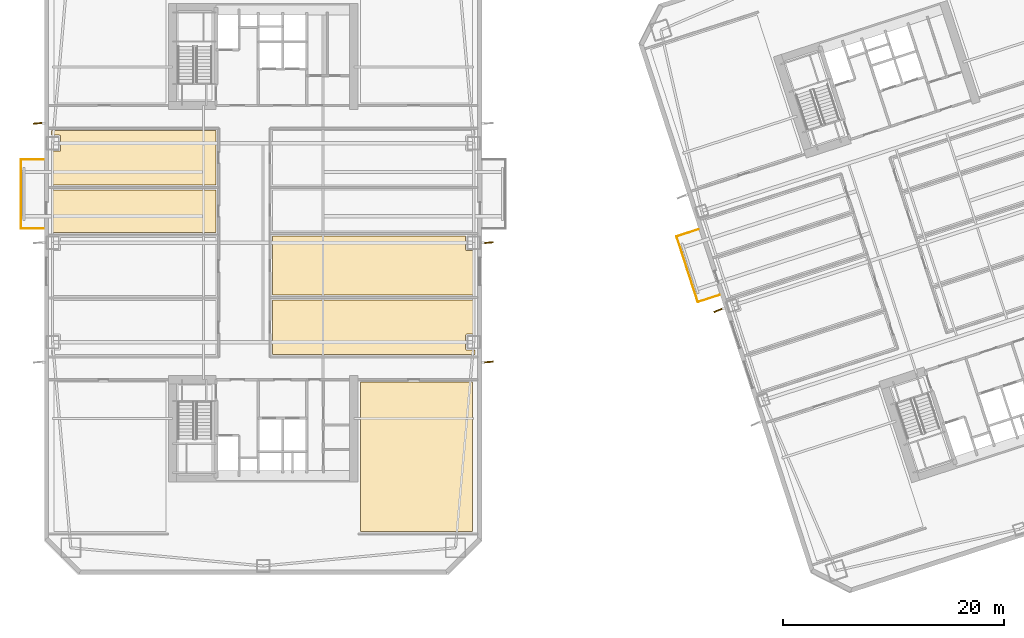
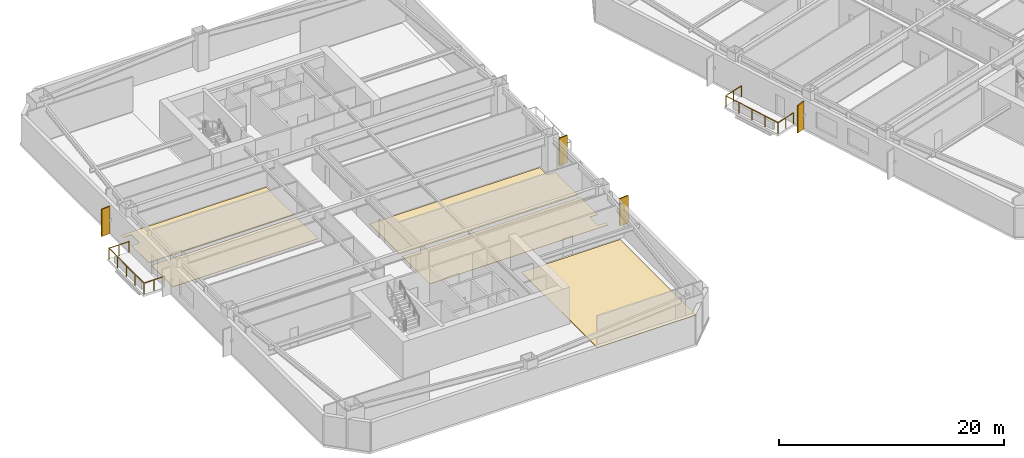
# One storey, part 14 of 21: 5 coverings, 4 shading devices, 2 railings.
"""IFC4 building model written with IfcOpenShell, lengths in metres."""

import ifcopenshell
import ifcopenshell.guid

model = None  # the IFC model being written
_history = None  # IfcOwnerHistory: only IFC2X3 demands one
_inside = {}  # id of a spatial element -> (the spatial element, [elements in it])
_under = {}  # id of a project, library or spatial element -> (it, [spatial elements below it])
_declared = {}  # id of a project -> (the project, [libraries it declares])
_typed = {}  # id of a type object -> (the type object, [elements of that type])
_made_of = {}  # id of a material, layer set ... -> (it, [elements and type objects made of it])


def new_model(schema):
    """Start an empty IFC model of exactly this schema.

    Asked for "IFC4X3", IfcOpenShell would pick the latest addendum, in which some entities
    have other attributes; the version numbers below select the first issue.
    IFC2X3 requires an IfcOwnerHistory on every rooted entity: one is made here for all.
    """
    global model, _history
    if schema == "IFC4X3":
        model = ifcopenshell.file(schema_version=(4, 3, 0, 0))
    else:
        model = ifcopenshell.file(schema=schema)
    _inside.clear()
    _under.clear()
    _declared.clear()
    _typed.clear()
    _made_of.clear()
    _history = None
    if model.schema == "IFC2X3":
        org = make("IfcOrganization", Name="unknown")
        user = make(
            "IfcPersonAndOrganization",
            ThePerson=make("IfcPerson", FamilyName="unknown"),
            TheOrganization=org,
        )
        app = make(
            "IfcApplication",
            ApplicationDeveloper=org,
            Version="unknown",
            ApplicationFullName="unknown",
            ApplicationIdentifier="unknown",
        )
        _history = make(
            "IfcOwnerHistory",
            OwningUser=user,
            OwningApplication=app,
            ChangeAction="ADDED",
            CreationDate=0,
        )
    return model


def make(cls, **values):
    """One entity of the class cls with the attributes given. An attribute that is None is left unset."""
    return model.create_entity(
        cls, **{name: value for name, value in values.items() if value is not None}
    )


def rooted(cls, **values):
    """An entity with a GlobalId (a new one), such as an element, a storey or a relation."""
    return make(cls, GlobalId=ifcopenshell.guid.new(), OwnerHistory=_history, **values)


def si_unit(unit_type, name, prefix=None):
    """IfcSIUnit, for example si_unit("LENGTHUNIT", "METRE", prefix="MILLI")."""
    return make("IfcSIUnit", UnitType=unit_type, Prefix=prefix, Name=name)


def assignment(units):
    """IfcUnitAssignment: the units of a project."""
    return None if units is None else make("IfcUnitAssignment", Units=units)


def point(xyz):
    """IfcCartesianPoint."""
    return None if xyz is None else make("IfcCartesianPoint", Coordinates=xyz)


def direction(xyz):
    """IfcDirection."""
    return None if xyz is None else make("IfcDirection", DirectionRatios=xyz)


def frame(location, z_axis=None, x_axis=None):
    """IfcAxis2Placement3D, a coordinate frame: its origin and axes. An axis left out is left unset."""
    return make(
        "IfcAxis2Placement3D",
        Location=point(location),
        Axis=direction(z_axis),
        RefDirection=direction(x_axis),
    )


def frame_2d(location, x_axis=None):
    """IfcAxis2Placement2D, a coordinate frame in the plane: its origin and x axis."""
    return make(
        "IfcAxis2Placement2D", Location=point(location), RefDirection=direction(x_axis)
    )


def origin():
    """The frame at (0, 0, 0) with its axes left unset."""
    return frame((0.0, 0.0, 0.0))


def origin_2d():
    """The frame at (0, 0) in the plane with its x axis left unset."""
    return frame_2d((0.0, 0.0))


def place(relative_to, where):
    """IfcLocalPlacement: puts the frame where relative to a parent placement (None: the world)."""
    return make(
        "IfcLocalPlacement", PlacementRelTo=relative_to, RelativePlacement=where
    )


def context(
    kind, dimensions, precision=None, world=None, true_north=None, identifier=None
):
    """IfcGeometricRepresentationContext, for example the 3D "Model" context."""
    return make(
        "IfcGeometricRepresentationContext",
        ContextIdentifier=identifier,
        ContextType=kind,
        CoordinateSpaceDimension=dimensions,
        Precision=precision,
        WorldCoordinateSystem=world,
        TrueNorth=true_north,
    )


def subcontext(parent, identifier, kind, view, scale=None):
    """IfcGeometricRepresentationSubContext, for example "Body" below "Model"."""
    return make(
        "IfcGeometricRepresentationSubContext",
        ContextIdentifier=identifier,
        ContextType=kind,
        ParentContext=parent,
        TargetScale=scale,
        TargetView=view,
    )


def project(units=None, contexts=None):
    """IfcProject with its units and contexts."""
    return rooted(
        "IfcProject",
        Name="project",
        RepresentationContexts=contexts,
        UnitsInContext=assignment(units),
    )


def spatial(cls, under=None, at=None, **own):
    """A site, building, storey or space (cls), placed at a placement, below another one or the project."""
    s = rooted(cls, ObjectPlacement=at, **own)
    if under is not None:
        _under.setdefault(under.id(), (under, []))[1].append(s)
    return s


def polyline(points):
    """IfcPolyline through the points."""
    return make("IfcPolyline", Points=[point(p) for p in points])


def profile(cls, at=None, kind="AREA", **sizes):
    """A parametric profile (cls). Its sizes go by their IFC names, for example OverallWidth=200.0."""
    return make(cls, ProfileType=kind, Position=at, **sizes)


def rectangle(**sizes):
    """IfcRectangleProfileDef."""
    return profile("IfcRectangleProfileDef", **sizes)


def circle(**sizes):
    """IfcCircleProfileDef."""
    return profile("IfcCircleProfileDef", **sizes)


def outline(outer, holes=None, kind="AREA"):
    """IfcArbitraryClosedProfileDef: a profile drawn as a closed curve; with holes, ...WithVoids."""
    if holes is None:
        return make("IfcArbitraryClosedProfileDef", ProfileType=kind, OuterCurve=outer)
    return make(
        "IfcArbitraryProfileDefWithVoids",
        ProfileType=kind,
        OuterCurve=outer,
        InnerCurves=holes,
    )


def extrude(swept, where, along, depth):
    """IfcExtrudedAreaSolid: the profile swept, set in the frame where, extruded along a direction by depth."""
    return make(
        "IfcExtrudedAreaSolid",
        SweptArea=swept,
        Position=where,
        ExtrudedDirection=direction(along),
        Depth=depth,
    )


def shape(context_of_items, identifier, shape_type, items):
    """IfcShapeRepresentation: the items that make up one representation, for example the "Body"."""
    return make(
        "IfcShapeRepresentation",
        ContextOfItems=context_of_items,
        RepresentationIdentifier=identifier,
        RepresentationType=shape_type,
        Items=items,
    )


def material(Name=None, Category=None):
    """IfcMaterial."""
    return make("IfcMaterial", Name=Name, Category=Category)


def layer(
    of_material, thickness, ventilated=None, Name=None, Category=None, Priority=None
):
    """IfcMaterialLayer: one layer of a wall or slab, of a material (None: an air gap)."""
    return make(
        "IfcMaterialLayer",
        Material=of_material,
        LayerThickness=thickness,
        IsVentilated=ventilated,
        Name=Name,
        Category=Category,
        Priority=Priority,
    )


def layer_set(layers, Name=None):
    """IfcMaterialLayerSet."""
    return make("IfcMaterialLayerSet", MaterialLayers=layers, LayerSetName=Name)


def made_of(thing, what):
    """Note that an element or type object is made of a material, layer set ...; save() writes the relation."""
    if what is not None:
        _made_of.setdefault(what.id(), (what, []))[1].append(thing)
    return thing


def type_object(cls, material=None, **own):
    """A type object (cls), such as IfcWallType, which elements share."""
    return made_of(rooted(cls, **own), material)


def element(
    cls,
    number,
    at=None,
    inside=None,
    cuts=None,
    type_object=None,
    material=None,
    context=None,
    identifier="Body",
    shape_type=None,
    held_by="IfcProductDefinitionShape",
    body=None,
    shapes=None,
    **own,
):
    """One element of the class cls, such as IfcWall. Its Tag is "e" and its number.

    at: its placement. inside: the storey or other place that contains it. cuts: it is an
    opening in that element (IfcRelVoidsElement). A single representation is given by context,
    identifier, shape_type and body (its items); several are given by shapes. held_by: the class
    of the entity that holds the representations. save() writes the other relations.
    """
    e = rooted(cls, Tag="e%d" % number, ObjectPlacement=at, **own)
    if body is not None:
        shapes = [shape(context, identifier, shape_type, body)]
    if shapes is not None:
        e.Representation = make(held_by, Representations=shapes)
    if inside is not None:
        _inside.setdefault(inside.id(), (inside, []))[1].append(e)
    if cuts is not None:
        rooted(
            "IfcRelVoidsElement", RelatingBuildingElement=cuts, RelatedOpeningElement=e
        )
    if type_object is not None:
        _typed.setdefault(type_object.id(), (type_object, []))[1].append(e)
    return made_of(e, material)


def aggregate(whole, parts):
    """IfcRelAggregates: a whole, such as a stair, and the parts it consists of."""
    return rooted("IfcRelAggregates", RelatingObject=whole, RelatedObjects=parts)


def save(model, path):
    """Write the relations noted so far, then the file.

    IfcRelAggregates (storeys below a building ...), IfcRelContainedInSpatialStructure (elements
    in a storey), IfcRelDefinesByType, IfcRelAssociatesMaterial and IfcRelDeclares: one each for
    every whole, place, type object, material and project.
    """
    for whole, parts in _under.values():
        aggregate(whole, parts)
    for where, things in _inside.values():
        rooted(
            "IfcRelContainedInSpatialStructure",
            RelatedElements=things,
            RelatingStructure=where,
        )
    for kind, things in _typed.values():
        rooted("IfcRelDefinesByType", RelatedObjects=things, RelatingType=kind)
    for what, things in _made_of.values():
        rooted("IfcRelAssociatesMaterial", RelatedObjects=things, RelatingMaterial=what)
    for by, libraries in _declared.values():
        rooted("IfcRelDeclares", RelatingContext=by, RelatedDefinitions=libraries)
    model.write(path)


model = new_model("IFC4")

# Units and contexts
model_context = context("Model", 3, precision=1e-05, world=origin(), true_north=direction((0.0, 1.0)))
body_context = subcontext(model_context, "Body", "Model", "MODEL_VIEW")
ifc_project = project(units=[si_unit("LENGTHUNIT", "METRE"), si_unit("AREAUNIT", "SQUARE_METRE"), si_unit("VOLUMEUNIT", "CUBIC_METRE"), si_unit("PLANEANGLEUNIT", "RADIAN"), si_unit("MASSUNIT", "GRAM", prefix="KILO")], contexts=[model_context])

# Site, building, storey
site_placement = place(None, origin())
site = spatial("IfcSite", under=ifc_project, at=site_placement, CompositionType="ELEMENT")
building_placement = place(site_placement, origin())
building = spatial("IfcBuilding", under=site, at=building_placement, Name="Qiaolan Cultural Towers", CompositionType="ELEMENT")
storey_placement = place(building_placement, frame((0.0, 0.0, 34.0)))
storey = spatial("IfcBuildingStorey", under=building, at=storey_placement, Name="L07", CompositionType="ELEMENT", Elevation=34.0)

# Coverings
ifc_material_1 = material(Name="Honed Terrazzo & Raised Access Flooring", Category="concrete")
ifc_layer_1 = layer(ifc_material_1, 0.0400390625)
ifc_layer_set_1 = layer_set([ifc_layer_1], Name="Honed Terrazzo & Raised Access Flooring")
covering_type = type_object("IfcCoveringType", Name="COV-FLR-STONE", PredefinedType="FLOORING", material=ifc_layer_set_1)
covering_1_placement = place(storey_placement, origin())
element("IfcCovering", 1, at=covering_1_placement, inside=storey, type_object=covering_type, Name="L07 Corner Curatorial Office Finish Flooring", PredefinedType="FLOORING", context=body_context, shape_type="SweptSolid", body=[
    extrude(outline(polyline([(48.929931640625, 7.8701171875), (48.929931640625, 21.3798828125), (38.800048828125, 21.3798828125), (38.800048828125, 7.8701171875), (48.929931640625, 7.8701171875)])), origin(), (0.0, 0.0, 1.0), 0.0400390625),
])
covering_2_placement = place(storey_placement, origin())
element("IfcCovering", 2, at=covering_2_placement, inside=storey, type_object=covering_type, Name="L07 Conservation Studio Finish Flooring", PredefinedType="FLOORING", context=body_context, shape_type="SweptSolid", body=[
    extrude(outline(polyline([(25.7548828125, 34.89990234375), (25.7548828125, 38.780029296875), (10.840087890625, 38.780029296875), (10.840087890625, 34.89990234375), (25.7548828125, 34.89990234375)])), origin(), (0.0, 0.0, 1.0), 0.0400390625),
])
covering_3_placement = place(storey_placement, origin())
element("IfcCovering", 3, at=covering_3_placement, inside=storey, type_object=covering_type, Name="L07 Gallery Exhibition Room Finish Flooring", PredefinedType="FLOORING", context=body_context, shape_type="SweptSolid", body=[
    extrude(outline(polyline([(10.840087890625, 43.72509765625), (11.554931640625, 43.72509765625), (11.566650390625, 43.724365234375), (11.578369140625, 43.72265625), (11.58984375, 43.7197265625), (11.600830078125, 43.7158203125), (11.611572265625, 43.7109375), (11.62158203125, 43.704833984375), (11.631103515625, 43.69775390625), (11.639892578125, 43.68994140625), (11.647705078125, 43.68115234375), (11.65478515625, 43.671630859375), (11.660888671875, 43.66162109375), (11.665771484375, 43.65087890625), (11.669921875, 43.639892578125), (11.672607421875, 43.62841796875), (11.67431640625, 43.61669921875), (11.675048828125, 43.60498046875), (11.675048828125, 42.39501953125), (11.67431640625, 42.38330078125), (11.672607421875, 42.37158203125), (11.669921875, 42.360107421875), (11.665771484375, 42.34912109375), (11.660888671875, 42.33837890625), (11.65478515625, 42.328369140625), (11.647705078125, 42.31884765625), (11.639892578125, 42.31005859375), (11.631103515625, 42.30224609375), (11.62158203125, 42.295166015625), (11.611572265625, 42.2890625), (11.600830078125, 42.2841796875), (11.58984375, 42.2802734375), (11.578369140625, 42.27734375), (11.566650390625, 42.275634765625), (11.554931640625, 42.27490234375), (10.840087890625, 42.27490234375), (10.840087890625, 39.219970703125), (25.7548828125, 39.219970703125), (25.7548828125, 44.1298828125), (10.840087890625, 44.1298828125), (10.840087890625, 43.72509765625)])), origin(), (0.0, 0.0, 1.0), 0.0400390625),
])
covering_4_placement = place(storey_placement, origin())
element("IfcCovering", 4, at=covering_4_placement, inside=storey, type_object=covering_type, Name="L07 Design Office Finish Flooring", PredefinedType="FLOORING", context=body_context, shape_type="SweptSolid", body=[
    extrude(outline(polyline([(49.159912109375, 24.27490234375), (48.445068359375, 24.27490234375), (48.433349609375, 24.275634765625), (48.421630859375, 24.27734375), (48.41015625, 24.2802734375), (48.399169921875, 24.2841796875), (48.388427734375, 24.2890625), (48.37841796875, 24.295166015625), (48.368896484375, 24.30224609375), (48.360107421875, 24.31005859375), (48.352294921875, 24.31884765625), (48.34521484375, 24.328369140625), (48.339111328125, 24.33837890625), (48.334228515625, 24.34912109375), (48.330078125, 24.360107421875), (48.327392578125, 24.37158203125), (48.32568359375, 24.38330078125), (48.324951171875, 24.39501953125), (48.324951171875, 25.60498046875), (48.32568359375, 25.61669921875), (48.327392578125, 25.62841796875), (48.330078125, 25.639892578125), (48.334228515625, 25.65087890625), (48.339111328125, 25.66162109375), (48.34521484375, 25.671630859375), (48.352294921875, 25.68115234375), (48.360107421875, 25.68994140625), (48.368896484375, 25.69775390625), (48.37841796875, 25.704833984375), (48.388427734375, 25.7109375), (48.399169921875, 25.7158203125), (48.41015625, 25.7197265625), (48.421630859375, 25.72265625), (48.433349609375, 25.724365234375), (48.445068359375, 25.72509765625), (49.159912109375, 25.72509765625), (49.159912109375, 28.81201171875), (30.844970703125, 28.81201171875), (30.844970703125, 23.8701171875), (49.159912109375, 23.8701171875), (49.159912109375, 24.27490234375)])), origin(), (0.0, 0.0, 1.0), 0.0400390625),
])
covering_5_placement = place(storey_placement, origin())
element("IfcCovering", 5, at=covering_5_placement, inside=storey, type_object=covering_type, Name="L07 Boardroom Finish Flooring", PredefinedType="FLOORING", context=body_context, shape_type="SweptSolid", body=[
    extrude(outline(polyline([(30.844970703125, 34.60791015625), (30.844970703125, 29.251953125), (49.159912109375, 29.251953125), (49.159912109375, 33.27490234375), (48.445068359375, 33.27490234375), (48.433349609375, 33.275634765625), (48.421630859375, 33.27734375), (48.41015625, 33.2802734375), (48.399169921875, 33.2841796875), (48.388427734375, 33.2890625), (48.37841796875, 33.295166015625), (48.368896484375, 33.30224609375), (48.360107421875, 33.31005859375), (48.352294921875, 33.31884765625), (48.34521484375, 33.328369140625), (48.339111328125, 33.33837890625), (48.334228515625, 33.34912109375), (48.330078125, 33.360107421875), (48.327392578125, 33.37158203125), (48.32568359375, 33.38330078125), (48.324951171875, 33.39501953125), (48.324951171875, 34.60498046875), (48.3251953125, 34.60791015625), (30.844970703125, 34.60791015625)])), origin(), (0.0, 0.0, 1.0), 0.0400390625),
])

# Railings
ifc_material_2 = material(Name="Laminated SentryGlas & Stainless Steel S31608 Balustrade", Category="steel")
railing_type = type_object("IfcRailingType", Name="GRD-TERR-1200", PredefinedType="BALUSTRADE", material=ifc_material_2)
railing_1_placement = place(storey_placement, frame((10.14990234375, 35.280029296875, 0.0)))
element("IfcRailing", 6, at=railing_1_placement, inside=storey, type_object=railing_type, Name="L07 T1 Tree Balcony Guardrail W", PredefinedType="BALUSTRADE", context=body_context, shape_type="SweptSolid", body=[
    extrude(circle(Radius=0.02392578125, at=origin_2d()), frame((0.0, 0.0, 1.17578125), z_axis=(-1.0, 0.0, 0.0), x_axis=(0.0, -1.0, 0.0)), (0.0, 0.0, 1.0), 2.06982421875),
    extrude(circle(Radius=0.02392578125, at=origin_2d()), frame((-2.06982421875, 0.0, 1.17578125), z_axis=(0.0, 1.0, 0.0), x_axis=(-1.0, 0.0, 0.0)), (0.0, 0.0, 1.0), 6.239990234375),
    extrude(circle(Radius=0.02392578125, at=origin_2d()), frame((-2.06982421875, 6.239990234375, 1.17578125), z_axis=(1.0, 0.0, 0.0), x_axis=(0.0, 1.0, 0.0)), (0.0, 0.0, 1.0), 2.06982421875),
    extrude(circle(Radius=0.02099609375, at=origin_2d()), origin(), (0.0, 0.0, 1.0), 1.15185546875),
    extrude(circle(Radius=0.02099609375, at=origin_2d()), frame((-1.034912109375, 0.0, 0.0)), (0.0, 0.0, 1.0), 1.15185546875),
    extrude(circle(Radius=0.02099609375, at=origin_2d()), frame((-2.06982421875, 0.0, 0.0)), (0.0, 0.0, 1.0), 1.15185546875),
    extrude(circle(Radius=0.02099609375, at=origin_2d()), frame((-2.06982421875, 1.56005859375, 0.0)), (0.0, 0.0, 1.0), 1.15185546875),
    extrude(circle(Radius=0.02099609375, at=origin_2d()), frame((-2.06982421875, 3.1201171875, 0.0)), (0.0, 0.0, 1.0), 1.15185546875),
    extrude(circle(Radius=0.02099609375, at=origin_2d()), frame((-2.06982421875, 4.679931640625, 0.0)), (0.0, 0.0, 1.0), 1.15185546875),
    extrude(circle(Radius=0.02099609375, at=origin_2d()), frame((-2.06982421875, 6.239990234375, 0.0)), (0.0, 0.0, 1.0), 1.15185546875),
    extrude(circle(Radius=0.02099609375, at=origin_2d()), frame((-1.034912109375, 6.239990234375, 0.0)), (0.0, 0.0, 1.0), 1.15185546875),
    extrude(circle(Radius=0.02099609375, at=origin_2d()), frame((0.0, 6.239990234375, 0.0)), (0.0, 0.0, 1.0), 1.15185546875),
])
railing_2_placement = place(storey_placement, frame((71.296630859375, 29.268798828125, 0.0)))
element("IfcRailing", 7, at=railing_2_placement, inside=storey, type_object=railing_type, Name="L07 T2 Tree Balcony Guardrail W", PredefinedType="BALUSTRADE", context=body_context, shape_type="SweptSolid", body=[
    extrude(circle(Radius=0.02392578125, at=origin_2d()), frame((0.0, 0.0, 1.17578125), z_axis=(-0.951061799618, -0.309000733507, 0.0), x_axis=(0.309000733507, -0.951061799618, 0.0)), (0.0, 0.0, 1.0), 2.070068359375),
    extrude(circle(Radius=0.02392578125, at=origin_2d()), frame((-1.96875, -0.6396484375, 1.17578125), z_axis=(-0.30901175762, 0.951058217804, 0.0), x_axis=(-0.951058217804, -0.30901175762, 0.0)), (0.0, 0.0, 1.0), 6.239990234375),
    extrude(circle(Radius=0.02392578125, at=origin_2d()), frame((-3.89697265625, 5.294921875, 1.17578125), z_axis=(0.951061799618, 0.309000733507, 0.0), x_axis=(-0.309000733507, 0.951061799618, 0.0)), (0.0, 0.0, 1.0), 2.070068359375),
    extrude(circle(Radius=0.02099609375, at=origin_2d()), origin(), (0.0, 0.0, 1.0), 1.15185546875),
    extrude(circle(Radius=0.02099609375, at=origin_2d()), frame((-0.984375, -0.31982421875, 0.0)), (0.0, 0.0, 1.0), 1.15185546875),
    extrude(circle(Radius=0.02099609375, at=origin_2d()), frame((-1.96875, -0.6396484375, 0.0)), (0.0, 0.0, 1.0), 1.15185546875),
    extrude(circle(Radius=0.02099609375, at=origin_2d()), frame((-2.45068359375, 0.843994140625, 0.0)), (0.0, 0.0, 1.0), 1.15185546875),
    extrude(circle(Radius=0.02099609375, at=origin_2d()), frame((-2.932861328125, 2.32763671875, 0.0)), (0.0, 0.0, 1.0), 1.15185546875),
    extrude(circle(Radius=0.02099609375, at=origin_2d()), frame((-3.4150390625, 3.811279296875, 0.0)), (0.0, 0.0, 1.0), 1.15185546875),
    extrude(circle(Radius=0.02099609375, at=origin_2d()), frame((-3.89697265625, 5.294921875, 0.0)), (0.0, 0.0, 1.0), 1.15185546875),
    extrude(circle(Radius=0.02099609375, at=origin_2d()), frame((-2.91259765625, 5.61474609375, 0.0)), (0.0, 0.0, 1.0), 1.15185546875),
    extrude(circle(Radius=0.02099609375, at=origin_2d()), frame((-1.92822265625, 5.9345703125, 0.0)), (0.0, 0.0, 1.0), 1.15185546875),
])

# Shading devices
ifc_material_3 = material(Name="Dark Basalt Honed Precast Terracotta Fin", Category="masonry")
ifc_layer_2 = layer(ifc_material_3, 0.1201171875)
ifc_layer_set_2 = layer_set([ifc_layer_2], Name="Dark Basalt Honed Precast Terracotta Fin")
shading_device_type = type_object("IfcShadingDeviceType", Name="SHD-FIN-DARK", PredefinedType="USERDEFINED", material=ifc_layer_set_2)
for number, where, z_axis, x_axis, name in (
    (8, (9.639892578125, 44.800048828125, 0.10009765625), (0.0, 0.0, 1.0), (0.995993912618, 0.089421060319, 0.0), "L07 T1 Expressive Precast Vertical Fin W3"),
    (9, (50.360107421875, 23.199951171875, 0.10009765625), (0.0, 0.0, 1.0), (0.995993912618, 0.089421060319, 0.0), "L07 T1 Expressive Precast Vertical Fin E1"),
    (10, (50.360107421875, 34.0, 0.10009765625), (0.0, 0.0, 1.0), (0.995993912618, 0.089421060319, 0.0), "L07 T1 Expressive Precast Vertical Fin E2"),
    (11, (71.20703125, 27.893798828125, 0.10009765625), (0.0, 0.0, 1.0), (0.919613873492, 0.392823527404, 0.0), "L07 T2 Expressive Precast Vertical Fin W2"),
):
    element("IfcShadingDevice", number, at=place(storey_placement, frame(where, z_axis=z_axis, x_axis=x_axis)), inside=storey, type_object=shading_device_type, Name=name, ObjectType="FIN", PredefinedType="USERDEFINED", context=body_context, shape_type="SweptSolid", body=[
        extrude(rectangle(XDim=0.89990234375, YDim=0.1201171875, at=origin_2d()), origin(), (0.0, 0.0, 1.0), 2.9599609375),
    ])

save(model, "model.ifc")
